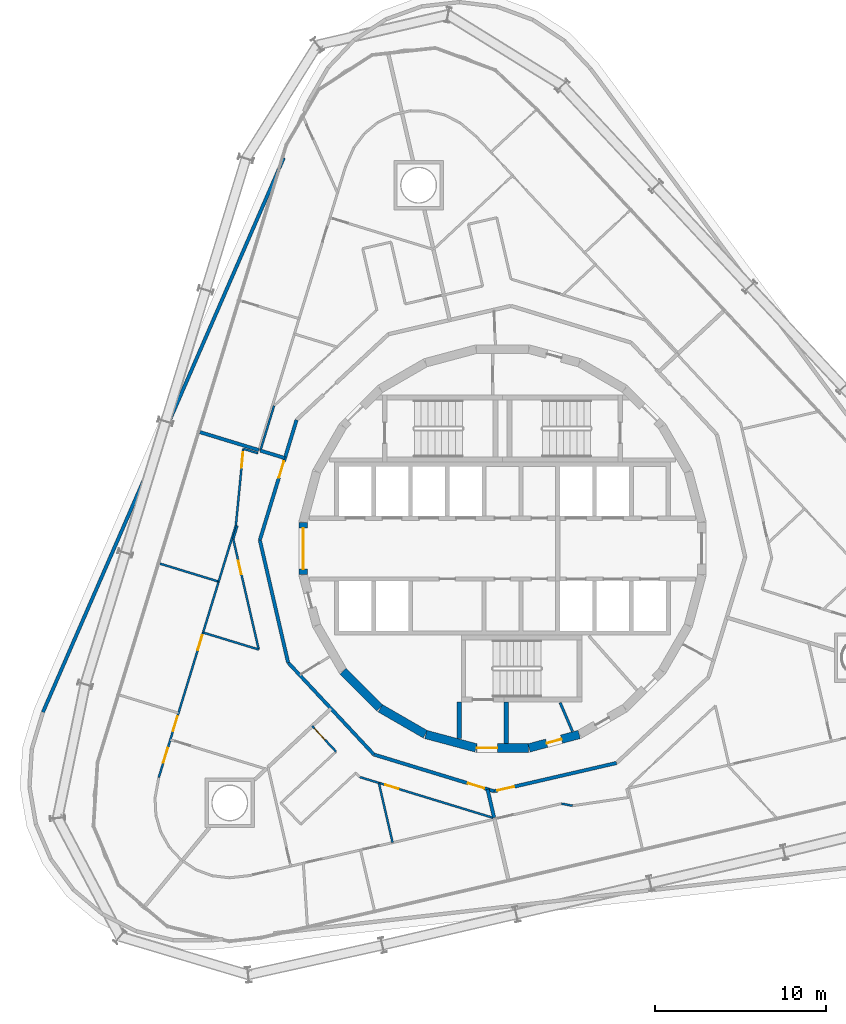
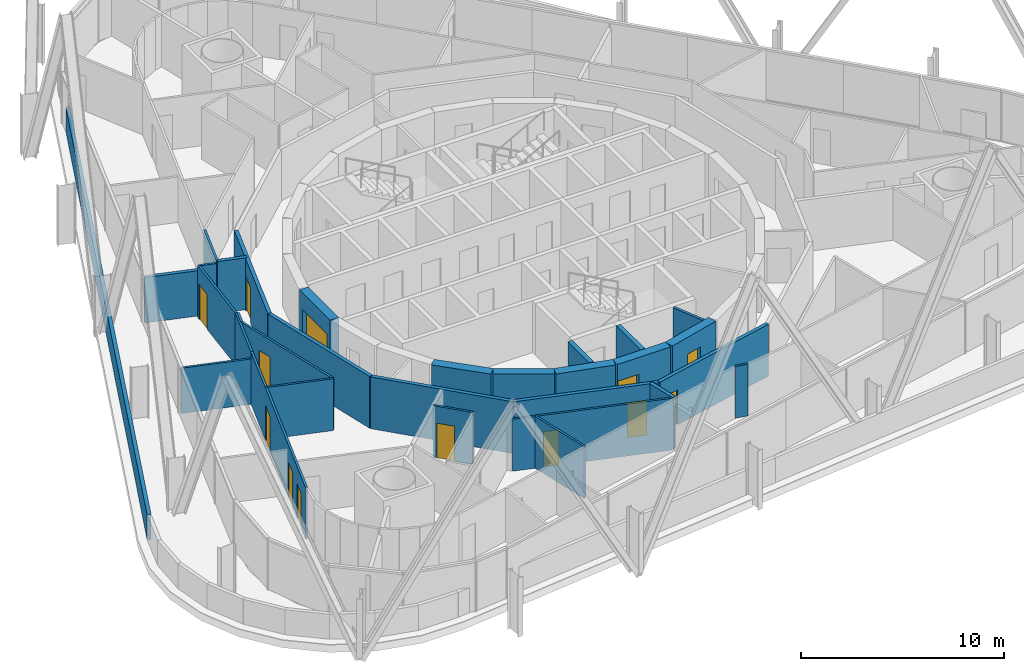
# One storey, part 12 of 18: 31 walls, 13 doors, 13 openings.
"""IFC4 building model written with IfcOpenShell, lengths in metres."""

from ifc_helpers import new_model, si_unit, direction, frame, frame_2d, origin, place, context, subcontext, project, spatial, rectangle, extrude, material, layer, layer_set, type_object, element, fill, save


model = new_model("IFC4")

# Units and contexts
model_context = context("Model", 3, precision=1e-05, world=origin(), true_north=direction((0.0, 1.0)))
body_context = subcontext(model_context, "Body", "Model", "MODEL_VIEW")
ifc_project = project(units=[si_unit("LENGTHUNIT", "METRE"), si_unit("AREAUNIT", "SQUARE_METRE"), si_unit("VOLUMEUNIT", "CUBIC_METRE"), si_unit("PLANEANGLEUNIT", "RADIAN"), si_unit("MASSUNIT", "GRAM", prefix="KILO")], contexts=[model_context])

# Site, building, storey
site_placement = place(None, origin())
site = spatial("IfcSite", under=ifc_project, at=site_placement, CompositionType="ELEMENT")
building_placement = place(site_placement, origin())
building = spatial("IfcBuilding", under=site, at=building_placement, Name="Spindle Arch Residences", CompositionType="ELEMENT")
storey_placement = place(building_placement, frame((0.0, 0.0, 113.39990234375)))
storey = spatial("IfcBuildingStorey", under=building, at=storey_placement, Name="L27", CompositionType="ELEMENT", Elevation=113.39990234375)

# Wall, opening, door
ifc_material_1 = material(Name="Concrete C50/60", Category="concrete")
ifc_layer_1 = layer(ifc_material_1, 0.5)
ifc_layer_set_1 = layer_set([ifc_layer_1], Name="Core outline wall 500")
wall_type_1 = type_object("IfcWallType", Name="Core outline wall 500", PredefinedType="SHEAR", material=ifc_layer_set_1)
wall_1_placement = place(storey_placement, frame((1.5498046875, -11.642822265625, 0.0), z_axis=(0.0, 0.0, 1.0), x_axis=(0.965948410781, 0.258734743916, 0.0)))
wall_1 = element("IfcWall", 1, at=wall_1_placement, inside=storey, type_object=wall_type_1, Name="Core outline wall 1", PredefinedType="SHEAR", context=body_context, shape_type="SweptSolid", body=[
    extrude(rectangle(XDim=3.03271484375, YDim=0.5, at=frame_2d((1.516357421875, 0.0))), origin(), (0.0, 0.0, 1.0), 3.1201171875),
])
opening_1_placement = place(wall_1_placement, frame((1.06640625, 0.0, 0.0)))
opening_1 = element("IfcOpeningElement", 2, at=opening_1_placement, cuts=wall_1, Name="Opening R3A0-WD09", PredefinedType="OPENING", context=body_context, shape_type="SweptSolid", body=[
    extrude(rectangle(XDim=0.89990234375, YDim=2.10009765625, at=frame_2d((0.449951171875, 1.050048828125))), frame((0.0, 0.260009765625, 0.0), z_axis=(0.0, -1.0, 0.0), x_axis=(1.0, 0.0, 0.0)), (0.0, 0.0, 1.0), 0.52001953125),
])
ifc_material_2 = material(Name="Steel, fire-resisting door", Category="steel")
door_type_1 = type_object("IfcDoorType", Name="Service room door 900x2100", OperationType="SINGLE_SWING_LEFT", PredefinedType="DOOR", material=ifc_material_2)
door_1_placement = place(opening_1_placement, origin())
door_1 = element("IfcDoor", 3, at=door_1_placement, inside=storey, type_object=door_type_1, Name="Service room door R3A0-WD09", OperationType="SINGLE_SWING_RIGHT", OverallHeight=2.10009765625, OverallWidth=0.89990234375, PredefinedType="DOOR", context=body_context, shape_type="SweptSolid", body=[
    extrude(rectangle(XDim=0.89990234375, YDim=2.10009765625, at=frame_2d((0.449951171875, 1.050048828125))), frame((0.0, 0.02490234375, 0.0), z_axis=(0.0, -1.0, 0.0), x_axis=(1.0, 0.0, 0.0)), (0.0, 0.0, 1.0), 0.050048828125),
])
fill(opening_1, door_1)

wall_2_placement = place(storey_placement, frame((-11.647216796875, 1.516357421875, 0.0), z_axis=(0.0, 0.0, 1.0), x_axis=(0.0, -1.0, 0.0)))
wall_2 = element("IfcWall", 4, at=wall_2_placement, inside=storey, type_object=wall_type_1, Name="Core outline wall 18", PredefinedType="SHEAR", context=body_context, shape_type="SweptSolid", body=[
    extrude(rectangle(XDim=3.03271484375, YDim=0.5, at=frame_2d((1.516357421875, 0.0))), origin(), (0.0, 0.0, 1.0), 3.1201171875),
])
opening_2_placement = place(wall_2_placement, frame((0.31640625, 0.0, 0.0)))
opening_2 = element("IfcOpeningElement", 5, at=opening_2_placement, cuts=wall_2, Name="Opening R3A0-LE01", PredefinedType="OPENING", context=body_context, shape_type="SweptSolid", body=[
    extrude(rectangle(XDim=2.39990234375, YDim=2.10009765625, at=frame_2d((1.199951171875, 1.050048828125))), frame((0.0, 0.260009765625, 0.0), z_axis=(0.0, -1.0, 0.0), x_axis=(1.0, 0.0, 0.0)), (0.0, 0.0, 1.0), 0.52001953125),
])
ifc_material_3 = material(Name="Steel, fire-resisting door", Category="steel")
door_type_2 = type_object("IfcDoorType", Name="Lift lobby entrance door 2400x2100", OperationType="DOUBLE_DOOR_SINGLE_SWING", PredefinedType="DOOR", material=ifc_material_3)
door_2_placement = place(opening_2_placement, origin())
door_2 = element("IfcDoor", 6, at=door_2_placement, inside=storey, type_object=door_type_2, Name="Lift lobby entrance door R3A0-LE01", OperationType="DOUBLE_DOOR_SINGLE_SWING", OverallHeight=2.10009765625, OverallWidth=2.39990234375, PredefinedType="DOOR", context=body_context, shape_type="SweptSolid", body=[
    extrude(rectangle(XDim=2.39990234375, YDim=2.10009765625, at=frame_2d((1.199951171875, 1.050048828125))), frame((0.0, 0.02490234375, 0.0), z_axis=(0.0, -1.0, 0.0), x_axis=(1.0, 0.0, 0.0)), (0.0, 0.0, 1.0), 0.050048828125),
])
fill(opening_2, door_2)

# Walls
wall_3_placement = place(storey_placement, frame((-9.30810546875, -7.163818359375, 0.0), z_axis=(0.0, 0.0, 1.0), x_axis=(0.707106781187, -0.707106781187, 0.0)))
element("IfcWall", 7, at=wall_3_placement, inside=storey, type_object=wall_type_1, Name="Core outline wall 21", PredefinedType="SHEAR", context=body_context, shape_type="SweptSolid", body=[
    extrude(rectangle(XDim=3.032470703125, YDim=0.5, at=frame_2d((1.51611328125, 0.0))), origin(), (0.0, 0.0, 1.0), 3.1201171875),
])
for number, where, z_axis, x_axis, name in (
    (8, (-7.13671875, -9.32861328125, 0.0), (0.0, 0.0, 1.0), (0.865975092491, -0.500087131594, 0.0), "Core outline wall 22"),
    (9, (-4.479248046875, -10.858154296875, 0.0), (0.0, 0.0, 1.0), (0.965948410781, -0.258734743916, 0.0), "Core outline wall 23"),
):
    element("IfcWall", number, at=place(storey_placement, frame(where, z_axis=z_axis, x_axis=x_axis)), inside=storey, type_object=wall_type_1, Name=name, PredefinedType="SHEAR", context=body_context, shape_type="SweptSolid", body=[
        extrude(rectangle(XDim=3.03271484375, YDim=0.5, at=frame_2d((1.516357421875, 0.0))), origin(), (0.0, 0.0, 1.0), 3.1201171875),
    ])

# Wall, opening, door
wall_4_placement = place(storey_placement, frame((-1.516357421875, -11.647216796875, 0.0), z_axis=(0.0, 0.0, 1.0), x_axis=(1.0, 0.0, 0.0)))
wall_4 = element("IfcWall", 10, at=wall_4_placement, inside=storey, type_object=wall_type_1, Name="Core outline wall 24", PredefinedType="SHEAR", context=body_context, shape_type="SweptSolid", body=[
    extrude(rectangle(XDim=3.03271484375, YDim=0.5, at=frame_2d((1.516357421875, 0.0))), origin(), (0.0, 0.0, 1.0), 3.1201171875),
])
opening_3_placement = place(wall_4_placement, frame((0.016357421875, 0.0, 0.0)))
opening_3 = element("IfcOpeningElement", 11, at=opening_3_placement, cuts=wall_4, Name="Opening R3A0-AD03", PredefinedType="OPENING", context=body_context, shape_type="SweptSolid", body=[
    extrude(rectangle(XDim=1.199951171875, YDim=2.10009765625, at=frame_2d((0.60009765625, 1.050048828125))), frame((0.0, 0.260009765625, 0.0), z_axis=(0.0, -1.0, 0.0), x_axis=(1.0, 0.0, 0.0)), (0.0, 0.0, 1.0), 0.52001953125),
])
ifc_material_4 = material(Name="Steel, fire-resisting door", Category="steel")
door_type_3 = type_object("IfcDoorType", Name="Stair airlock door 1200x2100", OperationType="SINGLE_SWING_LEFT", PredefinedType="DOOR", material=ifc_material_4)
door_3_placement = place(opening_3_placement, origin())
door_3 = element("IfcDoor", 12, at=door_3_placement, inside=storey, type_object=door_type_3, Name="Stair airlock door R3A0-AD03", OperationType="SINGLE_SWING_RIGHT", OverallHeight=2.10009765625, OverallWidth=1.199951171875, PredefinedType="DOOR", context=body_context, shape_type="SweptSolid", body=[
    extrude(rectangle(XDim=1.199951171875, YDim=2.10009765625, at=frame_2d((0.60009765625, 1.050048828125))), frame((0.0, 0.02490234375, 0.0), z_axis=(0.0, -1.0, 0.0), x_axis=(1.0, 0.0, 0.0)), (0.0, 0.0, 1.0), 0.050048828125),
])
fill(opening_3, door_3)

ifc_material_5 = material(Name="Calcium silicate block, plastered")
ifc_layer_2 = layer(ifc_material_5, 0.199951171875)
ifc_layer_set_2 = layer_set([ifc_layer_2], Name="Corridor wall 200")
wall_type_2 = type_object("IfcWallType", Name="Corridor wall 200", PredefinedType="STANDARD", material=ifc_layer_set_2)
wall_5_placement = place(storey_placement, frame((-12.028076171875, 7.51611328125, 0.0), z_axis=(0.0, 0.0, 1.0), x_axis=(-0.292365533182, -0.956306642771, 0.0)))
wall_5 = element("IfcWall", 13, at=wall_5_placement, inside=storey, type_object=wall_type_2, Name="Corridor wall R3A0-W010", PredefinedType="STANDARD", context=body_context, shape_type="SweptSolid", body=[
    extrude(rectangle(XDim=7.341796875, YDim=0.199951171875, at=frame_2d((3.6708984375, 0.0))), origin(), (0.0, 0.0, 1.0), 3.1201171875),
])
opening_4_placement = place(wall_5_placement, frame((2.53271484375, 0.0, 0.0)))
opening_4 = element("IfcOpeningElement", 14, at=opening_4_placement, cuts=wall_5, Name="Opening R3A0-FD04", PredefinedType="OPENING", context=body_context, shape_type="SweptSolid", body=[
    extrude(rectangle(XDim=1.0, YDim=2.10009765625, at=frame_2d((0.5, 1.050048828125))), frame((0.0, 0.10986328125, 0.0), z_axis=(0.0, -1.0, 0.0), x_axis=(1.0, 0.0, 0.0)), (0.0, 0.0, 1.0), 0.219970703125),
])
ifc_material_6 = material(Name="Timber, fire-resisting door set", Category="wood")
door_type_4 = type_object("IfcDoorType", Name="Flat entrance door 1000x2100", OperationType="NOTDEFINED", PredefinedType="DOOR", material=ifc_material_6)
door_4_placement = place(opening_4_placement, origin())
door_4 = element("IfcDoor", 15, at=door_4_placement, inside=storey, type_object=door_type_4, Name="Flat entrance door R3A0-FD04", OperationType="SINGLE_SWING_LEFT", OverallHeight=2.10009765625, OverallWidth=1.0, PredefinedType="DOOR", context=body_context, shape_type="SweptSolid", body=[
    extrude(rectangle(XDim=1.0, YDim=2.10009765625, at=frame_2d((0.5, 1.050048828125))), frame((0.0, 0.02490234375, 0.0), z_axis=(0.0, -1.0, 0.0), x_axis=(1.0, 0.0, 0.0)), (0.0, 0.0, 1.0), 0.050048828125),
])
fill(opening_4, door_4)

# Walls
wall_6_placement = place(storey_placement, frame((-14.174560546875, 0.4951171875, 0.0), z_axis=(0.0, 0.0, 1.0), x_axis=(0.224922649383, -0.974376622151, 0.0)))
element("IfcWall", 16, at=wall_6_placement, inside=storey, type_object=wall_type_2, Name="Corridor wall R3A0-W011", PredefinedType="STANDARD", context=body_context, shape_type="SweptSolid", body=[
    extrude(rectangle(XDim=7.342041015625, YDim=0.199951171875, at=frame_2d((3.6708984375, 0.0))), origin(), (0.0, 0.0, 1.0), 3.1201171875),
])
wall_7_placement = place(storey_placement, frame((-12.523193359375, -6.65869140625, 0.0), z_axis=(0.0, 0.0, 1.0), x_axis=(0.682001841105, -0.731350455479, 0.0)))
element("IfcWall", 17, at=wall_7_placement, inside=storey, type_object=wall_type_2, Name="Corridor wall R3A0-W012", PredefinedType="STANDARD", context=body_context, shape_type="SweptSolid", body=[
    extrude(rectangle(XDim=7.341796875, YDim=0.199951171875, at=frame_2d((3.6708984375, 0.0))), origin(), (0.0, 0.0, 1.0), 3.1201171875),
])

# Wall, opening, door
wall_8_placement = place(storey_placement, frame((-7.51611328125, -12.028076171875, 0.0), z_axis=(0.0, 0.0, 1.0), x_axis=(0.956306642771, -0.292365533182, 0.0)))
wall_8 = element("IfcWall", 18, at=wall_8_placement, inside=storey, type_object=wall_type_2, Name="Corridor wall R3A0-W013", PredefinedType="STANDARD", context=body_context, shape_type="SweptSolid", body=[
    extrude(rectangle(XDim=7.341796875, YDim=0.199951171875, at=frame_2d((3.6708984375, 0.0))), origin(), (0.0, 0.0, 1.0), 3.1201171875),
])
opening_5_placement = place(wall_8_placement, frame((5.7451171875, 0.0, 0.0)))
opening_5 = element("IfcOpeningElement", 19, at=opening_5_placement, cuts=wall_8, Name="Opening R3A0-FD05", PredefinedType="OPENING", context=body_context, shape_type="SweptSolid", body=[
    extrude(rectangle(XDim=1.0, YDim=2.10009765625, at=frame_2d((0.5, 1.050048828125))), frame((0.0, 0.10986328125, 0.0), z_axis=(0.0, -1.0, 0.0), x_axis=(1.0, 0.0, 0.0)), (0.0, 0.0, 1.0), 0.219970703125),
])
door_5_placement = place(opening_5_placement, origin())
door_5 = element("IfcDoor", 20, at=door_5_placement, inside=storey, type_object=door_type_4, Name="Flat entrance door R3A0-FD05", OperationType="SINGLE_SWING_LEFT", OverallHeight=2.10009765625, OverallWidth=1.0, PredefinedType="DOOR", context=body_context, shape_type="SweptSolid", body=[
    extrude(rectangle(XDim=1.0, YDim=2.10009765625, at=frame_2d((0.5, 1.050048828125))), frame((0.0, 0.02490234375, 0.0), z_axis=(0.0, -1.0, 0.0), x_axis=(1.0, 0.0, 0.0)), (0.0, 0.0, 1.0), 0.050048828125),
])
fill(opening_5, door_5)

wall_9_placement = place(storey_placement, frame((-0.4951171875, -14.174560546875, 0.0), z_axis=(0.0, 0.0, 1.0), x_axis=(0.974376622151, 0.224922649383, 0.0)))
wall_9 = element("IfcWall", 21, at=wall_9_placement, inside=storey, type_object=wall_type_2, Name="Corridor wall R3A0-W014", PredefinedType="STANDARD", context=body_context, shape_type="SweptSolid", body=[
    extrude(rectangle(XDim=7.342041015625, YDim=0.199951171875, at=frame_2d((3.6708984375, 0.0))), origin(), (0.0, 0.0, 1.0), 3.1201171875),
])
opening_6_placement = place(wall_9_placement, frame((0.199951171875, 0.0, 0.0)))
opening_6 = element("IfcOpeningElement", 22, at=opening_6_placement, cuts=wall_9, Name="Opening R3A0-FD06", PredefinedType="OPENING", context=body_context, shape_type="SweptSolid", body=[
    extrude(rectangle(XDim=1.0, YDim=2.10009765625, at=frame_2d((0.5, 1.050048828125))), frame((0.0, 0.10986328125, 0.0), z_axis=(0.0, -1.0, 0.0), x_axis=(1.0, 0.0, 0.0)), (0.0, 0.0, 1.0), 0.219970703125),
])
door_6_placement = place(opening_6_placement, origin())
door_6 = element("IfcDoor", 23, at=door_6_placement, inside=storey, type_object=door_type_4, Name="Flat entrance door R3A0-FD06", OperationType="SINGLE_SWING_LEFT", OverallHeight=2.10009765625, OverallWidth=1.0, PredefinedType="DOOR", context=body_context, shape_type="SweptSolid", body=[
    extrude(rectangle(XDim=1.0, YDim=2.10009765625, at=frame_2d((0.5, 1.050048828125))), frame((0.0, 0.02490234375, 0.0), z_axis=(0.0, -1.0, 0.0), x_axis=(1.0, 0.0, 0.0)), (0.0, 0.0, 1.0), 0.050048828125),
])
fill(opening_6, door_6)

# Walls
ifc_material_7 = material(Name="Plasterboard on steel studs", Category="steel")
ifc_layer_3 = layer(ifc_material_7, 0.1201171875)
ifc_layer_set_3 = layer_set([ifc_layer_3], Name="Flat partition 120")
wall_type_3 = type_object("IfcWallType", Name="Flat partition 120", PredefinedType="PARTITIONING", material=ifc_layer_set_3)
wall_10_placement = place(storey_placement, frame((-13.34521484375, 8.3388671875, 0.0), z_axis=(0.0, 0.0, 1.0), x_axis=(-0.292316072367, -0.956321762712, 0.0)))
element("IfcWall", 24, at=wall_10_placement, inside=storey, type_object=wall_type_3, Name="Flat partition R3A0-W063", PredefinedType="PARTITIONING", context=body_context, shape_type="SweptSolid", body=[
    extrude(rectangle(XDim=2.734375, YDim=0.1201171875, at=frame_2d((1.3671875, 0.0))), origin(), (0.0, 0.0, 1.0), 3.1201171875),
])
wall_11_placement = place(storey_placement, frame((-14.287353515625, 5.567626953125, 0.0), z_axis=(0.0, 0.0, 1.0), x_axis=(-0.956287662261, 0.292427609859, 0.0)))
element("IfcWall", 25, at=wall_11_placement, inside=storey, type_object=wall_type_3, Name="Flat partition R3A0-W073", PredefinedType="PARTITIONING", context=body_context, shape_type="SweptSolid", body=[
    extrude(rectangle(XDim=0.889892578125, YDim=0.1201171875, at=frame_2d((0.44482421875, 0.0))), origin(), (0.0, 0.0, 1.0), 3.1201171875),
])

# Wall, opening, door
wall_12_placement = place(storey_placement, frame((-15.138427734375, 5.827880859375, 0.0), z_axis=(0.0, 0.0, 1.0), x_axis=(-0.096967255409, -0.995287572201, 0.0)))
wall_12 = element("IfcWall", 26, at=wall_12_placement, inside=storey, type_object=wall_type_3, Name="Flat partition R3A0-W074", PredefinedType="PARTITIONING", context=body_context, shape_type="SweptSolid", body=[
    extrude(rectangle(XDim=4.4892578125, YDim=0.1201171875, at=frame_2d((2.24462890625, 0.0))), origin(), (0.0, 0.0, 1.0), 3.1201171875),
])
opening_7_placement = place(wall_12_placement, frame((0.199951171875, 0.0, 0.0)))
opening_7 = element("IfcOpeningElement", 27, at=opening_7_placement, cuts=wall_12, Name="Opening R3A0-ID17", PredefinedType="OPENING", context=body_context, shape_type="SweptSolid", body=[
    extrude(rectangle(XDim=0.89990234375, YDim=2.10009765625, at=frame_2d((0.449951171875, 1.050048828125))), frame((0.0, 0.070068359375, 0.0), z_axis=(0.0, -1.0, 0.0), x_axis=(1.0, 0.0, 0.0)), (0.0, 0.0, 1.0), 0.14013671875),
])
ifc_material_8 = material(Name="Timber door set", Category="wood")
door_type_5 = type_object("IfcDoorType", Name="Room door 900x2100", OperationType="NOTDEFINED", PredefinedType="DOOR", material=ifc_material_8)
door_7_placement = place(opening_7_placement, origin())
door_7 = element("IfcDoor", 28, at=door_7_placement, inside=storey, type_object=door_type_5, Name="Room door R3A0-ID17", OperationType="SINGLE_SWING_LEFT", OverallHeight=2.10009765625, OverallWidth=0.89990234375, PredefinedType="DOOR", context=body_context, shape_type="SweptSolid", body=[
    extrude(rectangle(XDim=0.89990234375, YDim=2.10009765625, at=frame_2d((0.449951171875, 1.050048828125))), frame((0.0, 0.02490234375, 0.0), z_axis=(0.0, -1.0, 0.0), x_axis=(1.0, 0.0, 0.0)), (0.0, 0.0, 1.0), 0.050048828125),
])
fill(opening_7, door_7)

# Wall
wall_13_placement = place(storey_placement, frame((-15.48681640625, 1.33349609375, 0.0), z_axis=(0.0, 0.0, 1.0), x_axis=(-0.2923698127, -0.956305334411, 0.0)))
element("IfcWall", 29, at=wall_13_placement, inside=storey, type_object=wall_type_3, Name="Flat partition R3A0-W075", PredefinedType="PARTITIONING", context=body_context, shape_type="SweptSolid", body=[
    extrude(rectangle(XDim=0.820068359375, YDim=0.1201171875, at=frame_2d((0.41015625, 0.0))), origin(), (0.0, 0.0, 1.0), 3.1201171875),
])

# Wall, opening, door
wall_14_placement = place(storey_placement, frame((-15.7265625, 0.54931640625, 0.0), z_axis=(0.0, 0.0, 1.0), x_axis=(0.224948441297, -0.974370668051, 0.0)))
wall_14 = element("IfcWall", 30, at=wall_14_placement, inside=storey, type_object=wall_type_3, Name="Flat partition R3A0-W076", PredefinedType="PARTITIONING", context=body_context, shape_type="SweptSolid", body=[
    extrude(rectangle(XDim=6.6162109375, YDim=0.1201171875, at=frame_2d((3.30810546875, 0.0))), origin(), (0.0, 0.0, 1.0), 3.1201171875),
])
opening_8_placement = place(wall_14_placement, frame((1.300048828125, 0.0, 0.0)))
opening_8 = element("IfcOpeningElement", 31, at=opening_8_placement, cuts=wall_14, Name="Opening R3A0-BD05", PredefinedType="OPENING", context=body_context, shape_type="SweptSolid", body=[
    extrude(rectangle(XDim=0.800048828125, YDim=2.10009765625, at=frame_2d((0.39990234375, 1.050048828125))), frame((0.0, 0.070068359375, 0.0), z_axis=(0.0, -1.0, 0.0), x_axis=(1.0, 0.0, 0.0)), (0.0, 0.0, 1.0), 0.14013671875),
])
ifc_material_9 = material(Name="Timber door set", Category="wood")
door_type_6 = type_object("IfcDoorType", Name="Bathroom door 800x2100", OperationType="NOTDEFINED", PredefinedType="DOOR", material=ifc_material_9)
door_8_placement = place(opening_8_placement, origin())
door_8 = element("IfcDoor", 32, at=door_8_placement, inside=storey, type_object=door_type_6, Name="Bathroom door R3A0-BD05", OperationType="SINGLE_SWING_RIGHT", OverallHeight=2.10009765625, OverallWidth=0.800048828125, PredefinedType="DOOR", context=body_context, shape_type="SweptSolid", body=[
    extrude(rectangle(XDim=0.800048828125, YDim=2.10009765625, at=frame_2d((0.39990234375, 1.050048828125))), frame((0.0, 0.02490234375, 0.0), z_axis=(0.0, -1.0, 0.0), x_axis=(1.0, 0.0, 0.0)), (0.0, 0.0, 1.0), 0.050048828125),
])
fill(opening_8, door_8)

# Wall
wall_15_placement = place(storey_placement, frame((-14.23828125, -5.897216796875, 0.0), z_axis=(0.0, 0.0, 1.0), x_axis=(-0.956314762513, 0.292338972768, 0.0)))
element("IfcWall", 33, at=wall_15_placement, inside=storey, type_object=wall_type_3, Name="Flat partition R3A0-W077", PredefinedType="PARTITIONING", context=body_context, shape_type="SweptSolid", body=[
    extrude(rectangle(XDim=3.39892578125, YDim=0.1201171875, at=frame_2d((1.699462890625, 0.0))), origin(), (0.0, 0.0, 1.0), 3.1201171875),
])

# Wall, openings, doors
wall_16_placement = place(storey_placement, frame((-16.5791015625, -1.927978515625, 0.0), z_axis=(0.0, 0.0, 1.0), x_axis=(-0.29236733738, -0.956306091183, 0.0)))
wall_16 = element("IfcWall", 34, at=wall_16_placement, inside=storey, type_object=wall_type_3, Name="Flat partition R3A0-W078", PredefinedType="PARTITIONING", context=body_context, shape_type="SweptSolid", body=[
    extrude(rectangle(XDim=11.962890625, YDim=0.1201171875, at=frame_2d((5.9814453125, 0.0))), origin(), (0.0, 0.0, 1.0), 3.1201171875),
])
opening_9_placement = place(wall_16_placement, frame((3.271484375, 0.0, 0.0)))
opening_9 = element("IfcOpeningElement", 35, at=opening_9_placement, cuts=wall_16, Name="Opening R3A0-ID18", PredefinedType="OPENING", context=body_context, shape_type="SweptSolid", body=[
    extrude(rectangle(XDim=0.89990234375, YDim=2.10009765625, at=frame_2d((0.449951171875, 1.050048828125))), frame((0.0, 0.070068359375, 0.0), z_axis=(0.0, -1.0, 0.0), x_axis=(1.0, 0.0, 0.0)), (0.0, 0.0, 1.0), 0.14013671875),
])
opening_10_placement = place(wall_16_placement, frame((8.22900390625, 0.0, 0.0)))
opening_10 = element("IfcOpeningElement", 36, at=opening_10_placement, cuts=wall_16, Name="Opening R3A0-ID19", PredefinedType="OPENING", context=body_context, shape_type="SweptSolid", body=[
    extrude(rectangle(XDim=0.89990234375, YDim=2.10009765625, at=frame_2d((0.449951171875, 1.050048828125))), frame((0.0, 0.070068359375, 0.0), z_axis=(0.0, -1.0, 0.0), x_axis=(1.0, 0.0, 0.0)), (0.0, 0.0, 1.0), 0.14013671875),
])
opening_11_placement = place(wall_16_placement, frame((10.160888671875, 0.0, 0.0)))
opening_11 = element("IfcOpeningElement", 37, at=opening_11_placement, cuts=wall_16, Name="Opening R3A0-ID21", PredefinedType="OPENING", context=body_context, shape_type="SweptSolid", body=[
    extrude(rectangle(XDim=0.89990234375, YDim=2.10009765625, at=frame_2d((0.449951171875, 1.050048828125))), frame((0.0, 0.070068359375, 0.0), z_axis=(0.0, -1.0, 0.0), x_axis=(1.0, 0.0, 0.0)), (0.0, 0.0, 1.0), 0.14013671875),
])
door_9_placement = place(opening_9_placement, origin())
door_9 = element("IfcDoor", 38, at=door_9_placement, inside=storey, type_object=door_type_5, Name="Room door R3A0-ID18", OperationType="SINGLE_SWING_RIGHT", OverallHeight=2.10009765625, OverallWidth=0.89990234375, PredefinedType="DOOR", context=body_context, shape_type="SweptSolid", body=[
    extrude(rectangle(XDim=0.89990234375, YDim=2.10009765625, at=frame_2d((0.449951171875, 1.050048828125))), frame((0.0, 0.02490234375, 0.0), z_axis=(0.0, -1.0, 0.0), x_axis=(1.0, 0.0, 0.0)), (0.0, 0.0, 1.0), 0.050048828125),
])
fill(opening_9, door_9)
door_10_placement = place(opening_10_placement, origin())
door_10 = element("IfcDoor", 39, at=door_10_placement, inside=storey, type_object=door_type_5, Name="Room door R3A0-ID19", OperationType="SINGLE_SWING_RIGHT", OverallHeight=2.10009765625, OverallWidth=0.89990234375, PredefinedType="DOOR", context=body_context, shape_type="SweptSolid", body=[
    extrude(rectangle(XDim=0.89990234375, YDim=2.10009765625, at=frame_2d((0.449951171875, 1.050048828125))), frame((0.0, 0.02490234375, 0.0), z_axis=(0.0, -1.0, 0.0), x_axis=(1.0, 0.0, 0.0)), (0.0, 0.0, 1.0), 0.050048828125),
])
fill(opening_10, door_10)
door_11_placement = place(opening_11_placement, origin())
door_11 = element("IfcDoor", 40, at=door_11_placement, inside=storey, type_object=door_type_5, Name="Room door R3A0-ID21", OperationType="SINGLE_SWING_LEFT", OverallHeight=2.10009765625, OverallWidth=0.89990234375, PredefinedType="DOOR", context=body_context, shape_type="SweptSolid", body=[
    extrude(rectangle(XDim=0.89990234375, YDim=2.10009765625, at=frame_2d((0.449951171875, 1.050048828125))), frame((0.0, 0.02490234375, 0.0), z_axis=(0.0, -1.0, 0.0), x_axis=(1.0, 0.0, 0.0)), (0.0, 0.0, 1.0), 0.050048828125),
])
fill(opening_11, door_11)

# Wall
wall_17_placement = place(storey_placement, frame((-16.5791015625, -1.927978515625, 0.0), z_axis=(0.0, 0.0, 1.0), x_axis=(0.292418780126, 0.956290362301, 0.0)))
element("IfcWall", 41, at=wall_17_placement, inside=storey, type_object=wall_type_3, Name="Flat partition R3A0-W080", PredefinedType="PARTITIONING", context=body_context, shape_type="SweptSolid", body=[
    extrude(rectangle(XDim=3.438232421875, YDim=0.1201171875, at=frame_2d((1.71923828125, 0.0))), origin(), (0.0, 0.0, 1.0), 3.1201171875),
])

# Wall, opening, door
wall_18_placement = place(storey_placement, frame((-11.11669921875, -10.366455078125, 0.0), z_axis=(0.0, 0.0, 1.0), x_axis=(0.682041233274, -0.731313719353, 0.0)))
wall_18 = element("IfcWall", 42, at=wall_18_placement, inside=storey, type_object=wall_type_3, Name="Flat partition R3A0-W088", PredefinedType="PARTITIONING", context=body_context, shape_type="SweptSolid", body=[
    extrude(rectangle(XDim=2.04150390625, YDim=0.1201171875, at=frame_2d((1.020751953125, 0.0))), origin(), (0.0, 0.0, 1.0), 3.1201171875),
])
opening_12_placement = place(wall_18_placement, frame((0.199951171875, 0.0, 0.0)))
opening_12 = element("IfcOpeningElement", 43, at=opening_12_placement, cuts=wall_18, Name="Opening R3A0-ID22", PredefinedType="OPENING", context=body_context, shape_type="SweptSolid", body=[
    extrude(rectangle(XDim=0.89990234375, YDim=2.10009765625, at=frame_2d((0.449951171875, 1.050048828125))), frame((0.0, 0.070068359375, 0.0), z_axis=(0.0, -1.0, 0.0), x_axis=(1.0, 0.0, 0.0)), (0.0, 0.0, 1.0), 0.14013671875),
])
door_12_placement = place(opening_12_placement, origin())
door_12 = element("IfcDoor", 44, at=door_12_placement, inside=storey, type_object=door_type_5, Name="Room door R3A0-ID22", OperationType="SINGLE_SWING_LEFT", OverallHeight=2.10009765625, OverallWidth=0.89990234375, PredefinedType="DOOR", context=body_context, shape_type="SweptSolid", body=[
    extrude(rectangle(XDim=0.89990234375, YDim=2.10009765625, at=frame_2d((0.449951171875, 1.050048828125))), frame((0.0, 0.02490234375, 0.0), z_axis=(0.0, -1.0, 0.0), x_axis=(1.0, 0.0, 0.0)), (0.0, 0.0, 1.0), 0.050048828125),
])
fill(opening_12, door_12)

wall_19_placement = place(storey_placement, frame((-8.3388671875, -13.34521484375, 0.0), z_axis=(0.0, 0.0, 1.0), x_axis=(0.956310145342, -0.292354076276, 0.0)))
wall_19 = element("IfcWall", 45, at=wall_19_placement, inside=storey, type_object=wall_type_3, Name="Flat partition R3A0-W093", PredefinedType="PARTITIONING", context=body_context, shape_type="SweptSolid", body=[
    extrude(rectangle(XDim=8.1455078125, YDim=0.1201171875, at=frame_2d((4.07275390625, 0.0))), origin(), (0.0, 0.0, 1.0), 3.1201171875),
])
opening_13_placement = place(wall_19_placement, frame((1.565185546875, 0.0, 0.0)))
opening_13 = element("IfcOpeningElement", 46, at=opening_13_placement, cuts=wall_19, Name="Opening R3A0-BD06", PredefinedType="OPENING", context=body_context, shape_type="SweptSolid", body=[
    extrude(rectangle(XDim=0.800048828125, YDim=2.10009765625, at=frame_2d((0.39990234375, 1.050048828125))), frame((0.0, 0.070068359375, 0.0), z_axis=(0.0, -1.0, 0.0), x_axis=(1.0, 0.0, 0.0)), (0.0, 0.0, 1.0), 0.14013671875),
])
door_13_placement = place(opening_13_placement, origin())
door_13 = element("IfcDoor", 47, at=door_13_placement, inside=storey, type_object=door_type_6, Name="Bathroom door R3A0-BD06", OperationType="SINGLE_SWING_LEFT", OverallHeight=2.10009765625, OverallWidth=0.800048828125, PredefinedType="DOOR", context=body_context, shape_type="SweptSolid", body=[
    extrude(rectangle(XDim=0.800048828125, YDim=2.10009765625, at=frame_2d((0.39990234375, 1.050048828125))), frame((0.0, 0.02490234375, 0.0), z_axis=(0.0, -1.0, 0.0), x_axis=(1.0, 0.0, 0.0)), (0.0, 0.0, 1.0), 0.050048828125),
])
fill(opening_13, door_13)

# Walls
wall_20_placement = place(storey_placement, frame((-6.4189453125, -17.175048828125, 0.0), z_axis=(0.0, 0.0, 1.0), x_axis=(-0.224979003559, 0.974363611778, 0.0)))
element("IfcWall", 48, at=wall_20_placement, inside=storey, type_object=wall_type_3, Name="Flat partition R3A0-W101", PredefinedType="PARTITIONING", context=body_context, shape_type="SweptSolid", body=[
    extrude(rectangle(XDim=3.5810546875, YDim=0.1201171875, at=frame_2d((1.79052734375, 0.0))), origin(), (0.0, 0.0, 1.0), 3.1201171875),
])
wall_21_placement = place(storey_placement, frame((3.439697265625, -14.89892578125, 0.0), z_axis=(0.0, 0.0, 1.0), x_axis=(0.98314539863, -0.182825395264, 0.0)))
element("IfcWall", 49, at=wall_21_placement, inside=storey, type_object=wall_type_3, Name="Flat partition R3A0-W103", PredefinedType="PARTITIONING", context=body_context, shape_type="SweptSolid", body=[
    extrude(rectangle(XDim=0.6650390625, YDim=0.1201171875, at=frame_2d((0.33251953125, 0.0))), origin(), (0.0, 0.0, 1.0), 3.1201171875),
])
ifc_material_10 = material(Name="Plasterboard on steel studs", Category="steel")
ifc_layer_4 = layer(ifc_material_10, 0.1201171875)
ifc_layer_set_4 = layer_set([ifc_layer_4], Name="Flat partition 120 under beam 2730")
wall_type_4 = type_object("IfcWallType", Name="Flat partition 120 under beam 2730", PredefinedType="PARTITIONING", material=ifc_layer_set_4)
wall_22_placement = place(storey_placement, frame((-20.021728515625, -0.87548828125, 0.0), z_axis=(0.0, 0.0, 1.0), x_axis=(0.956306810244, -0.292364985388, 0.0)))
element("IfcWall", 50, at=wall_22_placement, inside=storey, type_object=wall_type_4, Name="Flat partition R3A0-W081", PredefinedType="PARTITIONING", context=body_context, shape_type="SweptSolid", body=[
    extrude(rectangle(XDim=3.599853515625, YDim=0.1201171875, at=frame_2d((1.7998046875, 0.0))), origin(), (0.0, 0.0, 1.0), 2.72998046875),
])
ifc_material_11 = material(Name="Calcium silicate block, plastered")
ifc_layer_5 = layer(ifc_material_11, 0.199951171875)
ifc_layer_set_5 = layer_set([ifc_layer_5], Name="Flat party wall 200")
wall_type_5 = type_object("IfcWallType", Name="Flat party wall 200", PredefinedType="STANDARD", material=ifc_layer_set_5)
wall_23_placement = place(storey_placement, frame((-14.14453125, 5.723876953125, 0.0), z_axis=(0.0, 0.0, 1.0), x_axis=(0.956266872747, -0.292495586439, 0.0)))
element("IfcWall", 51, at=wall_23_placement, inside=storey, type_object=wall_type_5, Name="Flat party wall R3A0-W023", PredefinedType="STANDARD", context=body_context, shape_type="SweptSolid", body=[
    extrude(rectangle(XDim=1.5, YDim=0.199951171875, at=frame_2d((0.75, 0.0))), origin(), (0.0, 0.0, 1.0), 3.1201171875),
])
wall_24_placement = place(storey_placement, frame((-0.492431640625, -15.71337890625, 0.0), z_axis=(0.0, 0.0, 1.0), x_axis=(-0.224974992875, 0.97436453783, 0.0)))
element("IfcWall", 52, at=wall_24_placement, inside=storey, type_object=wall_type_5, Name="Flat party wall R3A0-W028", PredefinedType="STANDARD", context=body_context, shape_type="SweptSolid", body=[
    extrude(rectangle(XDim=1.6982421875, YDim=0.199951171875, at=frame_2d((0.84912109375, 0.0))), origin(), (0.0, 0.0, 1.0), 3.1201171875),
])
ifc_material_12 = material(Name="Calcium silicate block, plastered")
ifc_layer_6 = layer(ifc_material_12, 0.199951171875)
ifc_layer_set_6 = layer_set([ifc_layer_6], Name="Flat party wall 200 under beam 2730")
wall_type_6 = type_object("IfcWallType", Name="Flat party wall 200 under beam 2730", PredefinedType="STANDARD", material=ifc_layer_set_6)
wall_25_placement = place(storey_placement, frame((-17.67431640625, 6.802978515625, 0.0), z_axis=(0.0, 0.0, 1.0), x_axis=(0.956293645939, -0.292408041504, 0.0)))
element("IfcWall", 53, at=wall_25_placement, inside=storey, type_object=wall_type_6, Name="Flat party wall R3A0-W024", PredefinedType="STANDARD", context=body_context, shape_type="SweptSolid", body=[
    extrude(rectangle(XDim=3.600341796875, YDim=0.199951171875, at=frame_2d((1.80029296875, 0.0))), origin(), (0.0, 0.0, 1.0), 2.72998046875),
])
ifc_material_13 = material(Name="Concrete C40/50", Category="concrete")
ifc_layer_7 = layer(ifc_material_13, 0.199951171875)
ifc_layer_set_7 = layer_set([ifc_layer_7], Name="Roof parapet 1500")
wall_type_7 = type_object("IfcWallType", Name="Roof parapet 1500", PredefinedType="PARAPET", material=ifc_layer_set_7)
wall_26_placement = place(storey_placement, frame((-26.84521484375, -9.5576171875, 0.030029296875), z_axis=(0.0, 0.0, 1.0), x_axis=(0.398491196924, 0.917172157217, 0.0)))
element("IfcWall", 54, at=wall_26_placement, inside=storey, type_object=wall_type_7, Name="Roof parapet L26 2.11", PredefinedType="PARAPET", context=body_context, shape_type="SweptSolid", body=[
    extrude(rectangle(XDim=35.305908203125, YDim=0.199951171875, at=frame_2d((17.65283203125, 0.0))), origin(), (0.0, 0.0, 1.0), 1.5),
])
ifc_material_14 = material(Name="Concrete C25/30", Category="concrete")
ifc_layer_8 = layer(ifc_material_14, 0.14990234375)
ifc_layer_set_8 = layer_set([ifc_layer_8], Name="Service room partition 150")
wall_type_8 = type_object("IfcWallType", Name="Service room partition 150", PredefinedType="PARTITIONING", material=ifc_layer_set_8)
wall_27_placement = place(storey_placement, frame((3.366943359375, -9.0068359375, 0.0), z_axis=(0.0, 0.0, 1.0), x_axis=(0.394387482265, -0.918944238696, 0.0)))
element("IfcWall", 55, at=wall_27_placement, inside=storey, type_object=wall_type_8, Name="Core service room partition", PredefinedType="PARTITIONING", context=body_context, shape_type="SweptSolid", body=[
    extrude(rectangle(XDim=1.824951171875, YDim=0.14990234375, at=frame_2d((0.91259765625, 0.0))), origin(), (0.0, 0.0, 1.0), 3.1201171875),
])
ifc_material_15 = material(Name="Concrete C40/50", Category="concrete")
ifc_layer_9 = layer(ifc_material_15, 0.25)
ifc_layer_set_9 = layer_set([ifc_layer_9], Name="Stair airlock wall 250")
wall_type_9 = type_object("IfcWallType", Name="Stair airlock wall 250", PredefinedType="SHEAR", material=ifc_layer_set_9)
wall_28_placement = place(storey_placement, frame((-2.52490234375, -8.969970703125, 0.0), z_axis=(0.0, 0.0, 1.0), x_axis=(0.0, -1.0, 0.0)))
element("IfcWall", 56, at=wall_28_placement, inside=storey, type_object=wall_type_9, Name="Stair ST-3 airlock wall W", PredefinedType="SHEAR", context=body_context, shape_type="SweptSolid", body=[
    extrude(rectangle(XDim=2.110107421875, YDim=0.25, at=frame_2d((1.05517578125, 0.0))), origin(), (0.0, 0.0, 1.0), 3.1201171875),
])
wall_29_placement = place(storey_placement, frame((0.22509765625, -8.969970703125, 0.0), z_axis=(0.0, 0.0, 1.0), x_axis=(0.0, -1.0, 0.0)))
element("IfcWall", 57, at=wall_29_placement, inside=storey, type_object=wall_type_9, Name="Stair ST-3 airlock wall E", PredefinedType="SHEAR", context=body_context, shape_type="SweptSolid", body=[
    extrude(rectangle(XDim=2.409912109375, YDim=0.25, at=frame_2d((1.205078125, 0.0))), origin(), (0.0, 0.0, 1.0), 3.1201171875),
])

save(model, "model.ifc")
